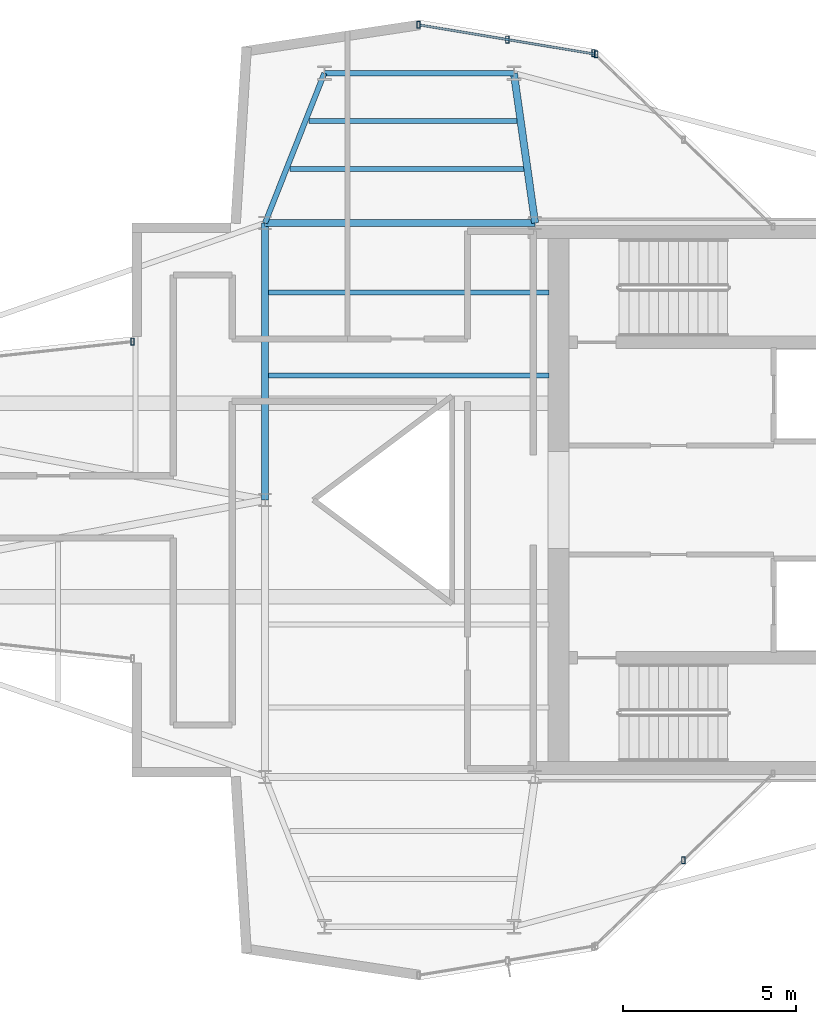
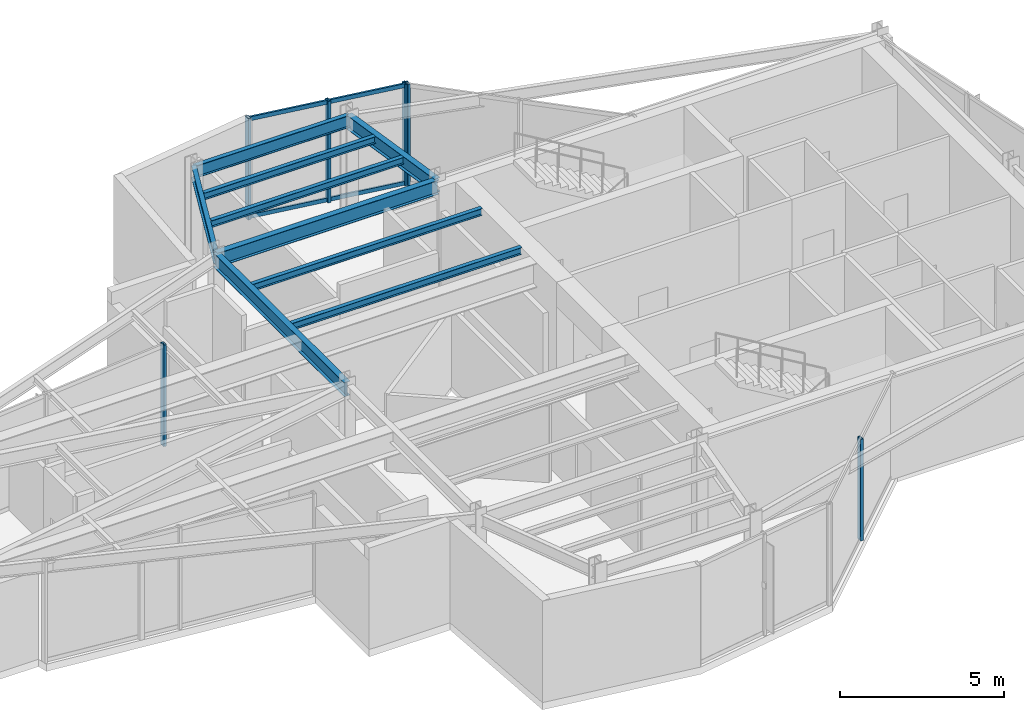
# One storey, part 7 of 16: 9 beams, 8 members, 4 elements without a shape of their own.
"""IFC4 building model written with IfcOpenShell, lengths in metres."""

from ifc_helpers import new_model, si_unit, direction, frame, origin, origin_2d, place, context, subcontext, project, spatial, hollow_rectangle, i_section, extrude, material, layer, layer_set, material_profile, profile_set, type_object, element, aggregate, save


model = new_model("IFC4")

# Units and contexts
model_context = context("Model", 3, precision=1e-05, world=origin(), true_north=direction((0.0, 1.0)))
body_context = subcontext(model_context, "Body", "Model", "MODEL_VIEW")
ifc_project = project(units=[si_unit("LENGTHUNIT", "METRE"), si_unit("AREAUNIT", "SQUARE_METRE"), si_unit("VOLUMEUNIT", "CUBIC_METRE"), si_unit("PLANEANGLEUNIT", "RADIAN"), si_unit("MASSUNIT", "GRAM", prefix="KILO")], contexts=[model_context])

# Site, building, storey
site_placement = place(None, origin())
site = spatial("IfcSite", under=ifc_project, at=site_placement, CompositionType="ELEMENT")
building_placement = place(site_placement, origin())
building = spatial("IfcBuilding", under=site, at=building_placement, Name="Veymaron Broadcast Tower", CompositionType="ELEMENT")
storey_placement = place(building_placement, frame((0.0, 0.0, 315.449951171875)))
storey = spatial("IfcBuildingStorey", under=building, at=storey_placement, Name="L74", CompositionType="ELEMENT", Elevation=315.449951171875)

# Beams
ifc_material_1 = material(Name="Structural steel ASTM A992 Gr 50", Category="steel")
ifc_material_profile_1 = material_profile(ifc_material_1, i_section(OverallWidth=0.208984375, OverallDepth=0.528076171875, WebThickness=0.009521484375, FlangeThickness=0.01318359375, at=origin_2d()), Name="W530X82")
ifc_profile_set_1 = profile_set([ifc_material_profile_1], Name="Structural steel ASTM A992 Gr 50")
beam_type_1 = type_object("IfcBeamType", Name="BM-FG4", PredefinedType="BEAM", material=ifc_profile_set_1)
beam_1_placement = place(storey_placement, frame((31.199951171875, 24.0, 3.51611328125), z_axis=(0.0, 1.0, 0.0), x_axis=(-1.0, 0.0, 0.0)))
element("IfcBeam", 1, at=beam_1_placement, inside=storey, type_object=beam_type_1, Name="L74 primary structural floor girder", PredefinedType="BEAM", context=body_context, shape_type="SweptSolid", body=[
    extrude(i_section(OverallWidth=0.208984375, OverallDepth=0.528076171875, WebThickness=0.009521484375, FlangeThickness=0.01318359375, at=origin_2d()), origin(), (0.0, 0.0, 1.0), 8.0),
])
beam_2_placement = place(storey_placement, frame((31.199951171875, 32.0, 3.51611328125), z_axis=(1.0, 0.0, 0.0), x_axis=(0.0, 1.0, 0.0)))
element("IfcBeam", 2, at=beam_2_placement, inside=storey, type_object=beam_type_1, Name="L74 primary structural floor girder", PredefinedType="BEAM", context=body_context, shape_type="SweptSolid", body=[
    extrude(i_section(OverallWidth=0.208984375, OverallDepth=0.528076171875, WebThickness=0.009521484375, FlangeThickness=0.01318359375, at=origin_2d()), origin(), (0.0, 0.0, 1.0), 7.800048828125),
])
beam_3_placement = place(storey_placement, frame((39.0, 32.0, 3.51611328125), z_axis=(-0.140029301726, 0.990147360072, 0.0), x_axis=(-0.990147360072, -0.140029301726, 0.0)))
element("IfcBeam", 3, at=beam_3_placement, inside=storey, type_object=beam_type_1, Name="L74 primary structural floor girder", PredefinedType="BEAM", context=body_context, shape_type="SweptSolid", body=[
    extrude(i_section(OverallWidth=0.208984375, OverallDepth=0.528076171875, WebThickness=0.009521484375, FlangeThickness=0.01318359375, at=origin_2d()), origin(), (0.0, 0.0, 1.0), 4.370849609375),
])
ifc_material_profile_2 = material_profile(ifc_material_1, i_section(OverallWidth=0.14599609375, OverallDepth=0.258056640625, WebThickness=0.006103515625, FlangeThickness=0.009033203125, at=origin_2d()), Name="W250X33")
ifc_profile_set_2 = profile_set([ifc_material_profile_2], Name="Structural steel ASTM A992 Gr 50")
beam_type_2 = type_object("IfcBeamType", Name="BM-JS4", PredefinedType="JOIST", material=ifc_profile_set_2)
beam_4_placement = place(storey_placement, frame((31.9169921875, 33.55810546875, 3.651123046875), z_axis=(1.0, 0.0, 0.0), x_axis=(0.0, 1.0, 0.0)))
element("IfcBeam", 4, at=beam_4_placement, inside=storey, type_object=beam_type_2, Name="L74 Arm-B secondary joist 1", PredefinedType="JOIST", context=body_context, shape_type="SweptSolid", body=[
    extrude(i_section(OverallWidth=0.14599609375, OverallDepth=0.258056640625, WebThickness=0.006103515625, FlangeThickness=0.009033203125, at=origin_2d()), origin(), (0.0, 0.0, 1.0), 6.7626953125),
])
beam_5_placement = place(storey_placement, frame((32.465087890625, 34.943115234375, 3.651123046875), z_axis=(1.0, 0.0, 0.0), x_axis=(0.0, 1.0, 0.0)))
element("IfcBeam", 5, at=beam_5_placement, inside=storey, type_object=beam_type_2, Name="L74 Arm-B secondary joist 2", PredefinedType="JOIST", context=body_context, shape_type="SweptSolid", body=[
    extrude(i_section(OverallWidth=0.14599609375, OverallDepth=0.258056640625, WebThickness=0.006103515625, FlangeThickness=0.009033203125, at=origin_2d()), origin(), (0.0, 0.0, 1.0), 6.018798828125),
])
for number, where, z_axis, x_axis, name in (
    (6, (31.300048828125, 27.60009765625, 3.651123046875), (1.0, 0.0, 0.0), (0.0, 1.0, 0.0), "L74 Hub secondary joist 3"),
    (7, (31.300048828125, 30.0, 3.651123046875), (1.0, 0.0, 0.0), (0.0, 1.0, 0.0), "L74 Hub secondary joist 4"),
):
    element("IfcBeam", number, at=place(storey_placement, frame(where, z_axis=z_axis, x_axis=x_axis)), inside=storey, type_object=beam_type_2, Name=name, PredefinedType="JOIST", context=body_context, shape_type="SweptSolid", body=[
        extrude(i_section(OverallWidth=0.14599609375, OverallDepth=0.258056640625, WebThickness=0.006103515625, FlangeThickness=0.009033203125, at=origin_2d()), origin(), (0.0, 0.0, 1.0), 8.099853515625),
    ])
ifc_material_profile_3 = material_profile(ifc_material_1, i_section(OverallWidth=0.154052734375, OverallDepth=0.458984375, WebThickness=0.009033203125, FlangeThickness=0.015380859375, at=origin_2d()), Name="W460X68")
ifc_profile_set_3 = profile_set([ifc_material_profile_3], Name="Structural steel ASTM A992 Gr 50")
beam_type_3 = type_object("IfcBeamType", Name="BM-SP2", PredefinedType="SPANDREL", material=ifc_profile_set_3)
beam_6_placement = place(storey_placement, frame((31.199951171875, 32.0, 3.550537109375), z_axis=(0.368141972335, 0.929769588772, 0.0), x_axis=(-0.929769588772, 0.368141972335, 0.0)))
element("IfcBeam", 8, at=beam_6_placement, inside=storey, type_object=beam_type_3, Name="L74 primary structural floor girder", PredefinedType="SPANDREL", context=body_context, shape_type="SweptSolid", body=[
    extrude(i_section(OverallWidth=0.154052734375, OverallDepth=0.458984375, WebThickness=0.009033203125, FlangeThickness=0.015380859375, at=origin_2d()), origin(), (0.0, 0.0, 1.0), 4.65478515625),
])
beam_7_placement = place(storey_placement, frame((32.91357421875, 36.327880859375, 3.550537109375), z_axis=(1.0, 0.0, 0.0), x_axis=(0.0, 1.0, 0.0)))
element("IfcBeam", 9, at=beam_7_placement, inside=storey, type_object=beam_type_3, Name="L74 primary structural floor girder", PredefinedType="SPANDREL", context=body_context, shape_type="SweptSolid", body=[
    extrude(i_section(OverallWidth=0.154052734375, OverallDepth=0.458984375, WebThickness=0.009033203125, FlangeThickness=0.015380859375, at=origin_2d()), origin(), (0.0, 0.0, 1.0), 5.474365234375),
])

# Curtain wall, member
ifc_material_2 = material(Name="Anodised aluminium AA 6063-T6 and laminated low-E dark glass", Category="aluminium")
ifc_layer = layer(ifc_material_2, 0.179931640625)
ifc_layer_set = layer_set([ifc_layer], Name="Anodised aluminium AA 6063-T6 and laminated low-E dark glass")
curtain_wall_type = type_object("IfcCurtainWallType", Name="CW-SYS-07", PredefinedType="NOTDEFINED", material=ifc_layer_set)
curtain_wall_1_placement = place(storey_placement, origin())
curtain_wall_1 = element("IfcCurtainWall", 10, at=curtain_wall_1_placement, inside=storey, type_object=curtain_wall_type, Name="L74 dark-glass curtain wall CW-L74-E8-1", PredefinedType="NOTDEFINED")
ifc_material_3 = material(Name="Anodised aluminium AA 6063-T6", Category="aluminium")
ifc_material_profile_4 = material_profile(ifc_material_3, hollow_rectangle(XDim=0.10009765625, YDim=0.199951171875, WallThickness=0.010009765625, at=origin_2d()), Name="RHS200X100X10")
ifc_profile_set_4 = profile_set([ifc_material_profile_4], Name="Anodised aluminium AA 6063-T6")
member_type_1 = type_object("IfcMemberType", Name="CW-MUL-01", PredefinedType="MULLION", material=ifc_profile_set_4)
member_1_placement = place(storey_placement, frame((43.281982421875, 13.59521484375, 0.0), z_axis=(0.0, 0.0, 1.0), x_axis=(1.0, 0.0, 0.0)))
member_1 = element("IfcMember", 11, at=member_1_placement, type_object=member_type_1, Name="CW-L74-E8-1 mullion 1", PredefinedType="MULLION", context=body_context, shape_type="SweptSolid", body=[
    extrude(hollow_rectangle(XDim=0.10009765625, YDim=0.199951171875, WallThickness=0.010009765625, at=origin_2d()), origin(), (0.0, 0.0, 1.0), 3.780029296875),
])
aggregate(curtain_wall_1, [member_1])

curtain_wall_2_placement = place(storey_placement, origin())
curtain_wall_2 = element("IfcCurtainWall", 12, at=curtain_wall_2_placement, inside=storey, type_object=curtain_wall_type, Name="L74 dark-glass curtain wall CW-L74-E13-1", PredefinedType="NOTDEFINED")
member_2_placement = place(storey_placement, frame((40.689208984375, 36.910400390625, 0.0), z_axis=(0.0, 0.0, 1.0), x_axis=(1.0, 0.0, 0.0)))
member_2 = element("IfcMember", 13, at=member_2_placement, type_object=member_type_1, Name="CW-L74-E13-1 mullion 2", PredefinedType="MULLION", context=body_context, shape_type="SweptSolid", body=[
    extrude(hollow_rectangle(XDim=0.10009765625, YDim=0.199951171875, WallThickness=0.010009765625, at=origin_2d()), origin(), (0.0, 0.0, 1.0), 3.780029296875),
])
aggregate(curtain_wall_2, [member_2])

# Curtain wall, members
curtain_wall_3_placement = place(storey_placement, origin())
curtain_wall_3 = element("IfcCurtainWall", 14, at=curtain_wall_3_placement, inside=storey, type_object=curtain_wall_type, Name="L74 dark-glass curtain wall CW-L74-E14-1", PredefinedType="NOTDEFINED")
member_3_placement = place(storey_placement, frame((40.763427734375, 36.873046875, 0.0), z_axis=(0.0, 0.0, 1.0), x_axis=(1.0, 0.0, 0.0)))
member_3 = element("IfcMember", 15, at=member_3_placement, type_object=member_type_1, Name="CW-L74-E14-1 mullion 0", PredefinedType="MULLION", context=body_context, shape_type="SweptSolid", body=[
    extrude(hollow_rectangle(XDim=0.10009765625, YDim=0.199951171875, WallThickness=0.010009765625, at=origin_2d()), origin(), (0.0, 0.0, 1.0), 3.780029296875),
])
member_4_placement = place(storey_placement, frame((38.19873046875, 37.2998046875, 0.0), z_axis=(0.0, 0.0, 1.0), x_axis=(1.0, 0.0, 0.0)))
member_4 = element("IfcMember", 16, at=member_4_placement, type_object=member_type_1, Name="CW-L74-E14-1 mullion 1", PredefinedType="MULLION", context=body_context, shape_type="SweptSolid", body=[
    extrude(hollow_rectangle(XDim=0.10009765625, YDim=0.199951171875, WallThickness=0.010009765625, at=origin_2d()), origin(), (0.0, 0.0, 1.0), 3.780029296875),
])
member_5_placement = place(storey_placement, frame((35.6337890625, 37.726806640625, 0.0), z_axis=(0.0, 0.0, 1.0), x_axis=(1.0, 0.0, 0.0)))
member_5 = element("IfcMember", 17, at=member_5_placement, type_object=member_type_1, Name="CW-L74-E14-1 mullion 2", PredefinedType="MULLION", context=body_context, shape_type="SweptSolid", body=[
    extrude(hollow_rectangle(XDim=0.10009765625, YDim=0.199951171875, WallThickness=0.010009765625, at=origin_2d()), origin(), (0.0, 0.0, 1.0), 3.780029296875),
])

# Curtain wall, member
curtain_wall_4_placement = place(storey_placement, origin())
curtain_wall_4 = element("IfcCurtainWall", 18, at=curtain_wall_4_placement, inside=storey, type_object=curtain_wall_type, Name="L74 dark-glass curtain wall CW-L74-E19-1", PredefinedType="NOTDEFINED")
member_6_placement = place(storey_placement, frame((27.37353515625, 28.576416015625, 0.0), z_axis=(0.0, 0.0, 1.0), x_axis=(1.0, 0.0, 0.0)))
member_6 = element("IfcMember", 19, at=member_6_placement, type_object=member_type_1, Name="CW-L74-E19-1 mullion 0", PredefinedType="MULLION", context=body_context, shape_type="SweptSolid", body=[
    extrude(hollow_rectangle(XDim=0.10009765625, YDim=0.199951171875, WallThickness=0.010009765625, at=origin_2d()), origin(), (0.0, 0.0, 1.0), 3.780029296875),
])
aggregate(curtain_wall_4, [member_6])

# Member
ifc_material_profile_5 = material_profile(ifc_material_3, hollow_rectangle(XDim=0.06494140625, YDim=0.14990234375, WallThickness=0.00390625, at=origin_2d()), Name="AL150X65X4")
ifc_profile_set_5 = profile_set([ifc_material_profile_5], Name="Anodised aluminium AA 6063-T6")
member_type_2 = type_object("IfcMemberType", Name="CW-TRN-01", PredefinedType="USERDEFINED", material=ifc_profile_set_5)
member_7_placement = place(storey_placement, frame((40.714111328125, 36.88134765625, 0.070068359375), z_axis=(-0.986436584547, 0.164142817897, 0.0), x_axis=(-0.164142817897, -0.986436584547, 0.0)))
member_7 = element("IfcMember", 20, at=member_7_placement, type_object=member_type_2, Name="CW-L74-E14-1 transom B", ObjectType="TRANSOM", PredefinedType="USERDEFINED", context=body_context, shape_type="SweptSolid", body=[
    extrude(hollow_rectangle(XDim=0.06494140625, YDim=0.14990234375, WallThickness=0.00390625, at=origin_2d()), origin(), (0.0, 0.0, 1.0), 5.10009765625),
])

member_8_placement = place(storey_placement, frame((40.714111328125, 36.88134765625, 3.7099609375), z_axis=(-0.986436584547, 0.164142817897, 0.0), x_axis=(-0.164142817897, -0.986436584547, 0.0)))
member_8 = element("IfcMember", 21, at=member_8_placement, type_object=member_type_2, Name="CW-L74-E14-1 transom T", ObjectType="TRANSOM", PredefinedType="USERDEFINED", context=body_context, shape_type="SweptSolid", body=[
    extrude(hollow_rectangle(XDim=0.06494140625, YDim=0.14990234375, WallThickness=0.00390625, at=origin_2d()), origin(), (0.0, 0.0, 1.0), 5.10009765625),
])

aggregate(curtain_wall_3, [member_3, member_4, member_5, member_7, member_8])

save(model, "model.ifc")
